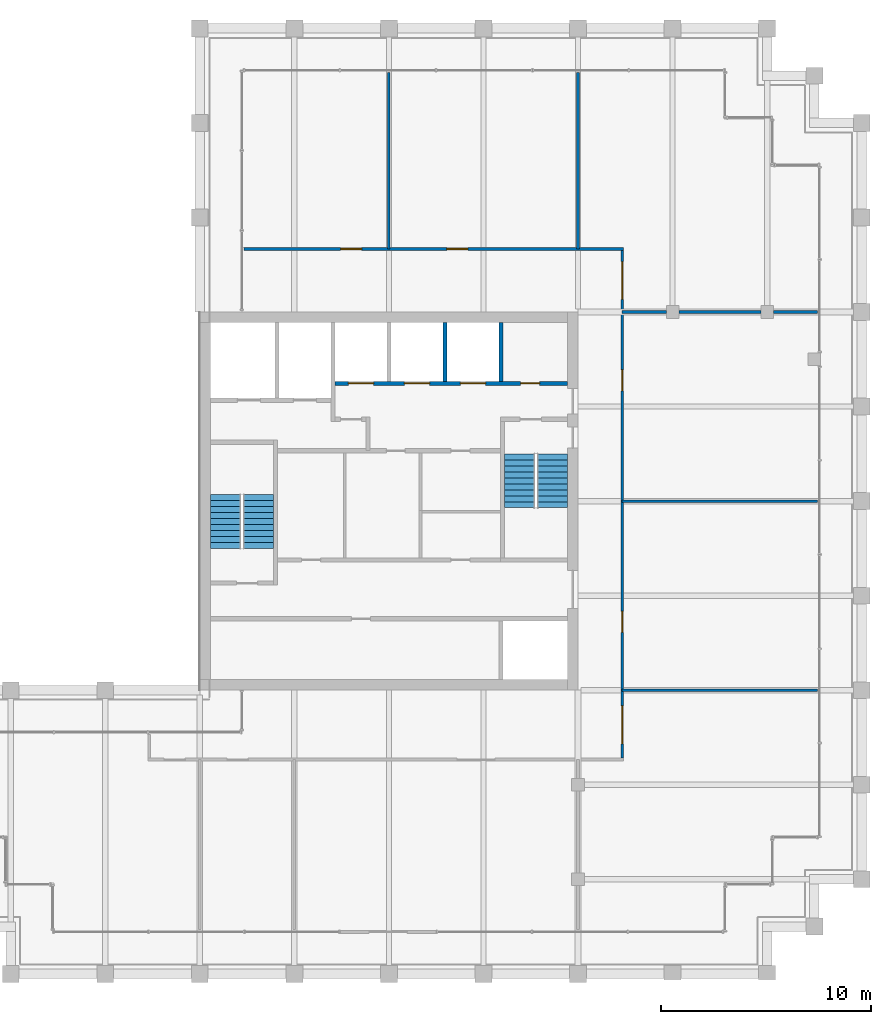
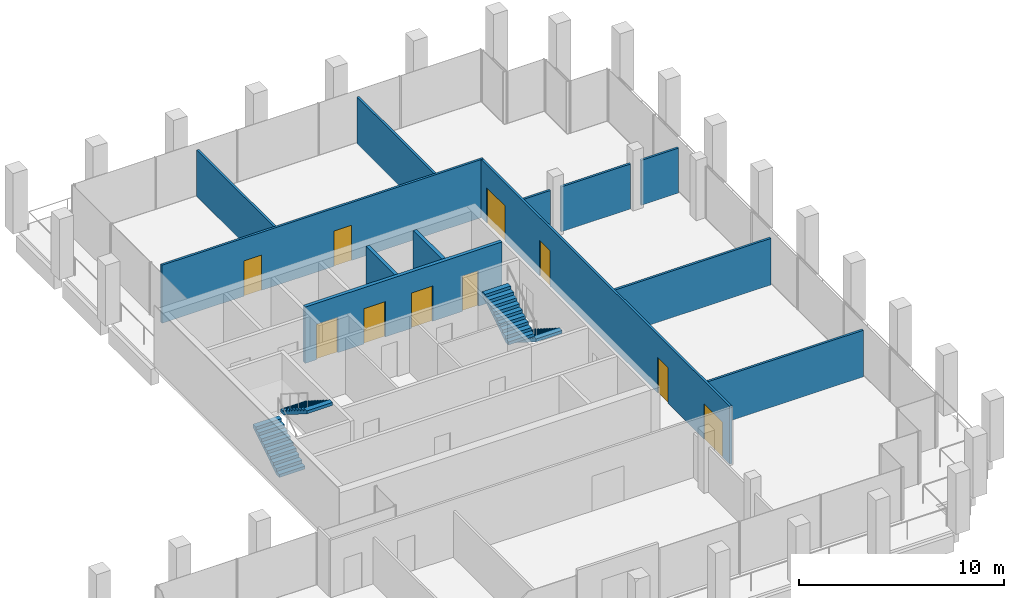
# One storey, part 29 of 30: 12 walls, 10 doors, 4 stair flights, 10 openings, 2 elements without a shape of their own.
"""IFC4 building model written with IfcOpenShell, lengths in metres."""

from ifc_helpers import new_model, si_unit, direction, frame, frame_2d, origin, place, context, subcontext, project, spatial, polyline, rectangle, outline, extrude, material, layer, layer_set, type_object, element, fill, aggregate, save


model = new_model("IFC4")

# Units and contexts
model_context = context("Model", 3, precision=1e-05, world=origin(), true_north=direction((0.0, 1.0)))
body_context = subcontext(model_context, "Body", "Model", "MODEL_VIEW")
ifc_project = project(units=[si_unit("LENGTHUNIT", "METRE"), si_unit("AREAUNIT", "SQUARE_METRE"), si_unit("VOLUMEUNIT", "CUBIC_METRE"), si_unit("PLANEANGLEUNIT", "RADIAN"), si_unit("MASSUNIT", "GRAM", prefix="KILO")], contexts=[model_context])

# Site, building, storey
site_placement = place(None, origin())
site = spatial("IfcSite", under=ifc_project, at=site_placement, CompositionType="ELEMENT")
building_placement = place(site_placement, origin())
building = spatial("IfcBuilding", under=site, at=building_placement, Name="Altepetl Exchange Towers", CompositionType="ELEMENT")
storey_placement = place(building_placement, frame((0.0, 0.0, 235.199951171875)))
storey = spatial("IfcBuildingStorey", under=building, at=storey_placement, Name="L60", CompositionType="ELEMENT", Elevation=235.199951171875)

# Walls
ifc_material_1 = material(Name="Timber panels on aluminium track", Category="wood")
ifc_layer_1 = layer(ifc_material_1, 0.125)
ifc_layer_set_1 = layer_set([ifc_layer_1], Name="Timber panels on aluminium track")
wall_type_1 = type_object("IfcWallType", Name="Operable acoustic partition 125", PredefinedType="MOVABLE", material=ifc_layer_set_1)
wall_1_placement = place(storey_placement, frame((60.60009765625, 49.5, 0.0)))
element("IfcWall", 1, at=wall_1_placement, inside=storey, type_object=wall_type_1, Name="wall:A:L60:P03", PredefinedType="MOVABLE", context=body_context, shape_type="SweptSolid", body=[
    extrude(rectangle(XDim=9.2998046875, YDim=0.125, at=frame_2d((4.64990234375, 0.0))), origin(), (0.0, 0.0, 1.0), 2.77197265625),
])
wall_2_placement = place(storey_placement, frame((49.5, 61.5, 0.0), z_axis=(0.0, 0.0, 1.0), x_axis=(0.0, 1.0, 0.0)))
element("IfcWall", 2, at=wall_2_placement, inside=storey, type_object=wall_type_1, Name="wall:A:L60:P11", PredefinedType="MOVABLE", context=body_context, shape_type="SweptSolid", body=[
    extrude(rectangle(XDim=8.39990234375, YDim=0.125, at=frame_2d((4.199951171875, 0.0))), origin(), (0.0, 0.0, 1.0), 2.77197265625),
])
ifc_material_2 = material(Name="Gypsum board on steel studs", Category="steel")
ifc_layer_2 = layer(ifc_material_2, 0.125)
ifc_layer_set_2 = layer_set([ifc_layer_2], Name="Gypsum board on steel studs")
wall_type_2 = type_object("IfcWallType", Name="Partition 125 gypsum board on steel studs", PredefinedType="PARTITIONING", material=ifc_layer_set_2)
wall_3_placement = place(storey_placement, frame((60.60009765625, 40.5, 0.0)))
element("IfcWall", 3, at=wall_3_placement, inside=storey, type_object=wall_type_2, Name="wall:A:L60:P02", PredefinedType="PARTITIONING", context=body_context, shape_type="SweptSolid", body=[
    extrude(rectangle(XDim=9.2998046875, YDim=0.125, at=frame_2d((4.64990234375, 0.0))), origin(), (0.0, 0.0, 1.0), 2.77197265625),
])
wall_4_placement = place(storey_placement, frame((60.60009765625, 58.5, 0.0)))
element("IfcWall", 4, at=wall_4_placement, inside=storey, type_object=wall_type_2, Name="wall:A:L60:P04", PredefinedType="PARTITIONING", context=body_context, shape_type="SweptSolid", body=[
    extrude(rectangle(XDim=2.099853515625, YDim=0.125, at=frame_2d((1.0498046875, 0.0))), origin(), (0.0, 0.0, 1.0), 2.676025390625),
])
wall_5_placement = place(storey_placement, frame((63.300048828125, 58.5, 0.0)))
element("IfcWall", 5, at=wall_5_placement, inside=storey, type_object=wall_type_2, Name="wall:A:L60:P05", PredefinedType="PARTITIONING", context=body_context, shape_type="SweptSolid", body=[
    extrude(rectangle(XDim=3.89990234375, YDim=0.125, at=frame_2d((1.949951171875, 0.0))), origin(), (0.0, 0.0, 1.0), 2.676025390625),
])
wall_6_placement = place(storey_placement, frame((67.800048828125, 58.5, 0.0)))
element("IfcWall", 6, at=wall_6_placement, inside=storey, type_object=wall_type_2, Name="wall:A:L60:P06", PredefinedType="PARTITIONING", context=body_context, shape_type="SweptSolid", body=[
    extrude(rectangle(XDim=2.099853515625, YDim=0.125, at=frame_2d((1.0498046875, 0.0))), origin(), (0.0, 0.0, 1.0), 2.676025390625),
])

# Wall, openings, doors
wall_7_placement = place(storey_placement, frame((42.60009765625, 61.5, 0.0)))
wall_7 = element("IfcWall", 7, at=wall_7_placement, inside=storey, type_object=wall_type_2, Name="wall:A:L60:P07", PredefinedType="PARTITIONING", context=body_context, shape_type="SweptSolid", body=[
    extrude(rectangle(XDim=18.0625, YDim=0.125, at=frame_2d((9.03125, 0.0))), origin(), (0.0, 0.0, 1.0), 3.449951171875),
])
opening_1_placement = place(wall_7_placement, frame((9.657958984375, 0.0, 0.0)))
opening_1 = element("IfcOpeningElement", 8, at=opening_1_placement, cuts=wall_7, Name="Opening L60.A08", PredefinedType="OPENING", context=body_context, shape_type="SweptSolid", body=[
    extrude(rectangle(XDim=1.0, YDim=2.10009765625, at=frame_2d((0.5, 1.050048828125))), frame((0.0, 0.072509765625, 0.0), z_axis=(0.0, -1.0, 0.0), x_axis=(1.0, 0.0, 0.0)), (0.0, 0.0, 1.0), 0.14501953125),
])
opening_2_placement = place(wall_7_placement, frame((4.60498046875, 0.0, 0.0)))
opening_2 = element("IfcOpeningElement", 9, at=opening_2_placement, cuts=wall_7, Name="Opening L60.A09", PredefinedType="OPENING", context=body_context, shape_type="SweptSolid", body=[
    extrude(rectangle(XDim=1.0, YDim=2.10009765625, at=frame_2d((0.5, 1.050048828125))), frame((0.0, 0.072509765625, 0.0), z_axis=(0.0, -1.0, 0.0), x_axis=(1.0, 0.0, 0.0)), (0.0, 0.0, 1.0), 0.14501953125),
])
ifc_material_3 = material(Name="Steel and timber fire door", Category="steel")
door_type_1 = type_object("IfcDoorType", Name="Fire door 1000 x 2100 single leaf", OperationType="SINGLE_SWING_LEFT", PredefinedType="DOOR", material=ifc_material_3)
door_1_placement = place(opening_1_placement, origin())
door_1 = element("IfcDoor", 10, at=door_1_placement, inside=storey, type_object=door_type_1, Name="door:A:L60:08", OperationType="SINGLE_SWING_LEFT", OverallHeight=2.10009765625, OverallWidth=1.0, PredefinedType="DOOR", context=body_context, shape_type="SweptSolid", body=[
    extrude(rectangle(XDim=1.0, YDim=2.10009765625, at=frame_2d((0.5, 1.050048828125))), frame((0.0, 0.02490234375, 0.0), z_axis=(0.0, -1.0, 0.0), x_axis=(1.0, 0.0, 0.0)), (0.0, 0.0, 1.0), 0.050048828125),
])
fill(opening_1, door_1)
door_2_placement = place(opening_2_placement, origin())
door_2 = element("IfcDoor", 11, at=door_2_placement, inside=storey, type_object=door_type_1, Name="door:A:L60:09", OperationType="SINGLE_SWING_RIGHT", OverallHeight=2.10009765625, OverallWidth=1.0, PredefinedType="DOOR", context=body_context, shape_type="SweptSolid", body=[
    extrude(rectangle(XDim=1.0, YDim=2.10009765625, at=frame_2d((0.5, 1.050048828125))), frame((0.0, 0.02490234375, 0.0), z_axis=(0.0, -1.0, 0.0), x_axis=(1.0, 0.0, 0.0)), (0.0, 0.0, 1.0), 0.050048828125),
])
fill(opening_2, door_2)

# Wall
wall_8_placement = place(storey_placement, frame((58.5, 61.5, 0.0), z_axis=(0.0, 0.0, 1.0), x_axis=(0.0, 1.0, 0.0)))
element("IfcWall", 12, at=wall_8_placement, inside=storey, type_object=wall_type_2, Name="wall:A:L60:P15", PredefinedType="PARTITIONING", context=body_context, shape_type="SweptSolid", body=[
    extrude(rectangle(XDim=8.39990234375, YDim=0.125, at=frame_2d((4.199951171875, 0.0))), origin(), (0.0, 0.0, 1.0), 2.77197265625),
])

# Wall, openings, doors
wall_9_placement = place(storey_placement, frame((60.60009765625, 37.262451171875, 0.0), z_axis=(0.0, 0.0, 1.0), x_axis=(0.0, 1.0, 0.0)))
wall_9 = element("IfcWall", 13, at=wall_9_placement, inside=storey, type_object=wall_type_2, Name="wall:A:L60:P16", PredefinedType="PARTITIONING", context=body_context, shape_type="SweptSolid", body=[
    extrude(rectangle(XDim=24.175048828125, YDim=0.125, at=frame_2d((12.08740234375, 0.0))), origin(), (0.0, 0.0, 1.0), 3.449951171875),
])
opening_3_placement = place(wall_9_placement, frame((0.6875, 0.0, 0.0)))
opening_3 = element("IfcOpeningElement", 14, at=opening_3_placement, cuts=wall_9, Name="Opening L60.A04", PredefinedType="OPENING", context=body_context, shape_type="SweptSolid", body=[
    extrude(rectangle(XDim=1.800048828125, YDim=2.10009765625, at=frame_2d((0.89990234375, 1.050048828125))), frame((0.0, 0.072509765625, 0.0), z_axis=(0.0, -1.0, 0.0), x_axis=(1.0, 0.0, 0.0)), (0.0, 0.0, 1.0), 0.14501953125),
])
opening_4_placement = place(wall_9_placement, frame((5.99560546875, 0.0, 0.0)))
opening_4 = element("IfcOpeningElement", 15, at=opening_4_placement, cuts=wall_9, Name="Opening L60.A05", PredefinedType="OPENING", context=body_context, shape_type="SweptSolid", body=[
    extrude(rectangle(XDim=1.0, YDim=2.10009765625, at=frame_2d((0.5, 1.050048828125))), frame((0.0, 0.072509765625, 0.0), z_axis=(0.0, -1.0, 0.0), x_axis=(1.0, 0.0, 0.0)), (0.0, 0.0, 1.0), 0.14501953125),
])
opening_5_placement = place(wall_9_placement, frame((17.4794921875, 0.0, 0.0)))
opening_5 = element("IfcOpeningElement", 16, at=opening_5_placement, cuts=wall_9, Name="Opening L60.A06", PredefinedType="OPENING", context=body_context, shape_type="SweptSolid", body=[
    extrude(rectangle(XDim=1.0, YDim=2.10009765625, at=frame_2d((0.5, 1.050048828125))), frame((0.0, 0.072509765625, 0.0), z_axis=(0.0, -1.0, 0.0), x_axis=(1.0, 0.0, 0.0)), (0.0, 0.0, 1.0), 0.14501953125),
])
opening_6_placement = place(wall_9_placement, frame((21.83740234375, 0.0, 0.0)))
opening_6 = element("IfcOpeningElement", 17, at=opening_6_placement, cuts=wall_9, Name="Opening L60.A07", PredefinedType="OPENING", context=body_context, shape_type="SweptSolid", body=[
    extrude(rectangle(XDim=1.800048828125, YDim=2.10009765625, at=frame_2d((0.89990234375, 1.050048828125))), frame((0.0, 0.072509765625, 0.0), z_axis=(0.0, -1.0, 0.0), x_axis=(1.0, 0.0, 0.0)), (0.0, 0.0, 1.0), 0.14501953125),
])
door_3_placement = place(opening_4_placement, frame((1.0, 0.0, 0.0), x_axis=(-1.0, 0.0, 0.0)))
door_3 = element("IfcDoor", 18, at=door_3_placement, inside=storey, type_object=door_type_1, Name="door:A:L60:05", OperationType="SINGLE_SWING_RIGHT", OverallHeight=2.10009765625, OverallWidth=1.0, PredefinedType="DOOR", context=body_context, shape_type="SweptSolid", body=[
    extrude(rectangle(XDim=1.0, YDim=2.10009765625, at=frame_2d((0.5, 1.050048828125))), frame((0.0, 0.02490234375, 0.0), z_axis=(0.0, -1.0, 0.0), x_axis=(1.0, 0.0, 0.0)), (0.0, 0.0, 1.0), 0.050048828125),
])
fill(opening_4, door_3)
door_4_placement = place(opening_5_placement, frame((1.0, 0.0, 0.0), x_axis=(-1.0, 0.0, 0.0)))
door_4 = element("IfcDoor", 19, at=door_4_placement, inside=storey, type_object=door_type_1, Name="door:A:L60:06", OperationType="SINGLE_SWING_RIGHT", OverallHeight=2.10009765625, OverallWidth=1.0, PredefinedType="DOOR", context=body_context, shape_type="SweptSolid", body=[
    extrude(rectangle(XDim=1.0, YDim=2.10009765625, at=frame_2d((0.5, 1.050048828125))), frame((0.0, 0.02490234375, 0.0), z_axis=(0.0, -1.0, 0.0), x_axis=(1.0, 0.0, 0.0)), (0.0, 0.0, 1.0), 0.050048828125),
])
fill(opening_5, door_4)
door_type_2 = type_object("IfcDoorType", Name="Fire door 1800 x 2100 double leaf", OperationType="DOUBLE_DOOR_SINGLE_SWING", PredefinedType="DOOR", material=ifc_material_3)
door_5_placement = place(opening_3_placement, frame((1.800048828125, 0.0, 0.0), x_axis=(-1.0, 0.0, 0.0)))
door_5 = element("IfcDoor", 20, at=door_5_placement, inside=storey, type_object=door_type_2, Name="door:A:L60:04", OperationType="DOUBLE_DOOR_SINGLE_SWING", OverallHeight=2.10009765625, OverallWidth=1.800048828125, PredefinedType="DOOR", context=body_context, shape_type="SweptSolid", body=[
    extrude(rectangle(XDim=1.800048828125, YDim=2.10009765625, at=frame_2d((0.89990234375, 1.050048828125))), frame((0.0, 0.02490234375, 0.0), z_axis=(0.0, -1.0, 0.0), x_axis=(1.0, 0.0, 0.0)), (0.0, 0.0, 1.0), 0.050048828125),
])
fill(opening_3, door_5)
door_6_placement = place(opening_6_placement, frame((1.800048828125, 0.0, 0.0), x_axis=(-1.0, 0.0, 0.0)))
door_6 = element("IfcDoor", 21, at=door_6_placement, inside=storey, type_object=door_type_2, Name="door:A:L60:07", OperationType="DOUBLE_DOOR_SINGLE_SWING", OverallHeight=2.10009765625, OverallWidth=1.800048828125, PredefinedType="DOOR", context=body_context, shape_type="SweptSolid", body=[
    extrude(rectangle(XDim=1.800048828125, YDim=2.10009765625, at=frame_2d((0.89990234375, 1.050048828125))), frame((0.0, 0.02490234375, 0.0), z_axis=(0.0, -1.0, 0.0), x_axis=(1.0, 0.0, 0.0)), (0.0, 0.0, 1.0), 0.050048828125),
])
fill(opening_6, door_6)

# Walls
ifc_material_4 = material(Name="Concrete C40/50", Category="concrete")
ifc_layer_3 = layer(ifc_material_4, 0.199951171875)
ifc_layer_set_3 = layer_set([ifc_layer_3], Name="Concrete C40/50")
wall_type_3 = type_object("IfcWallType", Name="Shaft wall 200 reinforced concrete", PredefinedType="SHEAR", material=ifc_layer_set_3)
for number, where, z_axis, x_axis, name in (
    (22, (52.166748046875, 58.0, 0.0), (0.0, 0.0, 1.0), (0.0, -1.0, 0.0), "wall:A:L60:K-divN4"),
    (23, (54.833251953125, 58.0, 0.0), (0.0, 0.0, 1.0), (0.0, -1.0, 0.0), "wall:A:L60:K-divN5"),
):
    element("IfcWall", number, at=place(storey_placement, frame(where, z_axis=z_axis, x_axis=x_axis)), inside=storey, type_object=wall_type_3, Name=name, PredefinedType="SHEAR", context=body_context, shape_type="SweptSolid", body=[
        extrude(rectangle(XDim=2.800048828125, YDim=0.199951171875, at=frame_2d((1.39990234375, 0.0))), origin(), (0.0, 0.0, 1.0), 3.35009765625),
    ])

# Wall, openings, doors
wall_10_placement = place(storey_placement, frame((46.933349609375, 55.10009765625, 0.0)))
wall_10 = element("IfcWall", 24, at=wall_10_placement, inside=storey, type_object=wall_type_3, Name="wall:A:L60:K-frontNb", PredefinedType="SHEAR", context=body_context, shape_type="SweptSolid", body=[
    extrude(rectangle(XDim=11.066650390625, YDim=0.199951171875, at=frame_2d((5.533203125, 0.0))), origin(), (0.0, 0.0, 1.0), 3.35009765625),
])
opening_7_placement = place(wall_10_placement, frame((8.83349609375, 0.0, 0.0)))
opening_7 = element("IfcOpeningElement", 25, at=opening_7_placement, cuts=wall_10, Name="Opening L60.A66", PredefinedType="OPENING", context=body_context, shape_type="SweptSolid", body=[
    extrude(rectangle(XDim=0.89990234375, YDim=2.10009765625, at=frame_2d((0.449951171875, 1.050048828125))), frame((0.0, 0.10986328125, 0.0), z_axis=(0.0, -1.0, 0.0), x_axis=(1.0, 0.0, 0.0)), (0.0, 0.0, 1.0), 0.219970703125),
])
opening_8_placement = place(wall_10_placement, frame((0.63330078125, 0.0, 0.0)))
opening_8 = element("IfcOpeningElement", 26, at=opening_8_placement, cuts=wall_10, Name="Opening L60.A74", PredefinedType="OPENING", context=body_context, shape_type="SweptSolid", body=[
    extrude(rectangle(XDim=1.199951171875, YDim=2.10009765625, at=frame_2d((0.60009765625, 1.050048828125))), frame((0.0, 0.10986328125, 0.0), z_axis=(0.0, -1.0, 0.0), x_axis=(1.0, 0.0, 0.0)), (0.0, 0.0, 1.0), 0.219970703125),
])
opening_9_placement = place(wall_10_placement, frame((3.300048828125, 0.0, 0.0)))
opening_9 = element("IfcOpeningElement", 27, at=opening_9_placement, cuts=wall_10, Name="Opening L60.A75", PredefinedType="OPENING", context=body_context, shape_type="SweptSolid", body=[
    extrude(rectangle(XDim=1.199951171875, YDim=2.10009765625, at=frame_2d((0.60009765625, 1.050048828125))), frame((0.0, 0.10986328125, 0.0), z_axis=(0.0, -1.0, 0.0), x_axis=(1.0, 0.0, 0.0)), (0.0, 0.0, 1.0), 0.219970703125),
])
opening_10_placement = place(wall_10_placement, frame((5.966796875, 0.0, 0.0)))
opening_10 = element("IfcOpeningElement", 28, at=opening_10_placement, cuts=wall_10, Name="Opening L60.A76", PredefinedType="OPENING", context=body_context, shape_type="SweptSolid", body=[
    extrude(rectangle(XDim=1.199951171875, YDim=2.10009765625, at=frame_2d((0.60009765625, 1.050048828125))), frame((0.0, 0.10986328125, 0.0), z_axis=(0.0, -1.0, 0.0), x_axis=(1.0, 0.0, 0.0)), (0.0, 0.0, 1.0), 0.219970703125),
])
door_type_3 = type_object("IfcDoorType", Name="Fire door 900 x 2100 service room", OperationType="SINGLE_SWING_LEFT", PredefinedType="DOOR", material=ifc_material_3)
door_7_placement = place(opening_7_placement, origin())
door_7 = element("IfcDoor", 29, at=door_7_placement, inside=storey, type_object=door_type_3, Name="door:A:L60:K-driser", OperationType="SINGLE_SWING_RIGHT", OverallHeight=2.10009765625, OverallWidth=0.89990234375, PredefinedType="DOOR", context=body_context, shape_type="SweptSolid", body=[
    extrude(rectangle(XDim=0.89990234375, YDim=2.10009765625, at=frame_2d((0.449951171875, 1.050048828125))), frame((0.0, 0.02490234375, 0.0), z_axis=(0.0, -1.0, 0.0), x_axis=(1.0, 0.0, 0.0)), (0.0, 0.0, 1.0), 0.050048828125),
])
fill(opening_7, door_7)
ifc_material_5 = material(Name="Stainless steel", Category="steel")
door_type_4 = type_object("IfcDoorType", Name="Lift landing door 1200 x 2100", OperationType="SLIDING_TO_LEFT", PredefinedType="DOOR", material=ifc_material_5)
door_8_placement = place(opening_8_placement, origin())
door_8 = element("IfcDoor", 30, at=door_8_placement, inside=storey, type_object=door_type_4, Name="Landing door P5", OperationType="SLIDING_TO_LEFT", OverallHeight=2.10009765625, OverallWidth=1.199951171875, PredefinedType="DOOR", context=body_context, shape_type="SweptSolid", body=[
    extrude(rectangle(XDim=1.199951171875, YDim=2.10009765625, at=frame_2d((0.60009765625, 1.050048828125))), frame((0.0, 0.02490234375, 0.0), z_axis=(0.0, -1.0, 0.0), x_axis=(1.0, 0.0, 0.0)), (0.0, 0.0, 1.0), 0.050048828125),
])
fill(opening_8, door_8)
door_9_placement = place(opening_9_placement, origin())
door_9 = element("IfcDoor", 31, at=door_9_placement, inside=storey, type_object=door_type_4, Name="Landing door P6", OperationType="SLIDING_TO_LEFT", OverallHeight=2.10009765625, OverallWidth=1.199951171875, PredefinedType="DOOR", context=body_context, shape_type="SweptSolid", body=[
    extrude(rectangle(XDim=1.199951171875, YDim=2.10009765625, at=frame_2d((0.60009765625, 1.050048828125))), frame((0.0, 0.02490234375, 0.0), z_axis=(0.0, -1.0, 0.0), x_axis=(1.0, 0.0, 0.0)), (0.0, 0.0, 1.0), 0.050048828125),
])
fill(opening_9, door_9)
door_10_placement = place(opening_10_placement, origin())
door_10 = element("IfcDoor", 32, at=door_10_placement, inside=storey, type_object=door_type_4, Name="Landing door P7", OperationType="SLIDING_TO_LEFT", OverallHeight=2.10009765625, OverallWidth=1.199951171875, PredefinedType="DOOR", context=body_context, shape_type="SweptSolid", body=[
    extrude(rectangle(XDim=1.199951171875, YDim=2.10009765625, at=frame_2d((0.60009765625, 1.050048828125))), frame((0.0, 0.02490234375, 0.0), z_axis=(0.0, -1.0, 0.0), x_axis=(1.0, 0.0, 0.0)), (0.0, 0.0, 1.0), 0.050048828125),
])
fill(opening_10, door_10)

# Stair, stair flights
stair_type = type_object("IfcStairType", Name="Exit stair 1450 flights dogleg", PredefinedType="HALF_TURN_STAIR", material=ifc_material_4)
stair_1_placement = place(storey_placement, origin())
stair_1 = element("IfcStair", 33, at=stair_1_placement, inside=storey, type_object=stair_type, Name="Exit stair 1", PredefinedType="HALF_TURN_STAIR")
stair_flight_type = type_object("IfcStairFlightType", Name="Stair flight 1450 wide", PredefinedType="STRAIGHT", material=ifc_material_4)
stair_flight_1_placement = place(storey_placement, frame((41.72509765625, 47.25, 0.0), z_axis=(0.0, 0.0, 1.0), x_axis=(0.0, 1.0, 0.0)))
stair_flight_1 = element("IfcStairFlight", 34, at=stair_flight_1_placement, type_object=stair_flight_type, Name="ST-A1f flight 1", NumberOfRisers=10, NumberOfTreads=9, PredefinedType="STRAIGHT", RiserHeight=0.18, TreadLength=0.285, context=body_context, shape_type="SweptSolid", body=[
    extrude(outline(polyline([(0.0, 0.0), (0.0, 0.179931640625), (0.284912109375, 0.179931640625), (0.284912109375, 0.360107421875), (0.570068359375, 0.360107421875), (0.570068359375, 0.5400390625), (0.85498046875, 0.5400390625), (0.85498046875, 0.719970703125), (1.139892578125, 0.719970703125), (1.139892578125, 0.89990234375), (1.425048828125, 0.89990234375), (1.425048828125, 1.080078125), (1.7099609375, 1.080078125), (1.7099609375, 1.260009765625), (1.9951171875, 1.260009765625), (1.9951171875, 1.43994140625), (2.280029296875, 1.43994140625), (2.280029296875, 1.6201171875), (2.56494140625, 1.6201171875), (2.56494140625, 1.800048828125), (2.56494140625, 1.442626953125), (0.28076171875, 0.0), (0.0, 0.0)])), frame((0.0, 0.72509765625, 0.0), z_axis=(0.0, -1.0, 0.0), x_axis=(1.0, 0.0, 0.0)), (0.0, 0.0, 1.0), 1.449951171875),
])
stair_flight_2_placement = place(storey_placement, frame((43.27490234375, 49.81494140625, 1.800048828125), z_axis=(0.0, 0.0, 1.0), x_axis=(0.0, -1.0, 0.0)))
stair_flight_2 = element("IfcStairFlight", 35, at=stair_flight_2_placement, type_object=stair_flight_type, Name="ST-A1f flight 2", NumberOfRisers=10, NumberOfTreads=9, PredefinedType="STRAIGHT", RiserHeight=0.18, TreadLength=0.285, context=body_context, shape_type="SweptSolid", body=[
    extrude(outline(polyline([(0.0, 0.0), (0.0, 0.179931640625), (0.284912109375, 0.179931640625), (0.284912109375, 0.360107421875), (0.570068359375, 0.360107421875), (0.570068359375, 0.5400390625), (0.85498046875, 0.5400390625), (0.85498046875, 0.719970703125), (1.139892578125, 0.719970703125), (1.139892578125, 0.89990234375), (1.425048828125, 0.89990234375), (1.425048828125, 1.080078125), (1.7099609375, 1.080078125), (1.7099609375, 1.260009765625), (1.9951171875, 1.260009765625), (1.9951171875, 1.43994140625), (2.280029296875, 1.43994140625), (2.280029296875, 1.6201171875), (2.56494140625, 1.6201171875), (2.56494140625, 1.800048828125), (2.56494140625, 1.442626953125), (0.28076171875, 0.0), (0.0, 0.0)])), frame((0.0, 0.72509765625, 0.0), z_axis=(0.0, -1.0, 0.0), x_axis=(1.0, 0.0, 0.0)), (0.0, 0.0, 1.0), 1.449951171875),
])
aggregate(stair_1, [stair_flight_1, stair_flight_2])

stair_2_placement = place(storey_placement, origin())
stair_2 = element("IfcStair", 36, at=stair_2_placement, inside=storey, type_object=stair_type, Name="Exit stair 2", PredefinedType="HALF_TURN_STAIR")
stair_flight_3_placement = place(storey_placement, frame((57.27490234375, 51.75, 0.0), z_axis=(0.0, 0.0, 1.0), x_axis=(0.0, -1.0, 0.0)))
stair_flight_3 = element("IfcStairFlight", 37, at=stair_flight_3_placement, type_object=stair_flight_type, Name="ST-A2f flight 1", NumberOfRisers=10, NumberOfTreads=9, PredefinedType="STRAIGHT", RiserHeight=0.18, TreadLength=0.285, context=body_context, shape_type="SweptSolid", body=[
    extrude(outline(polyline([(0.0, 0.0), (0.0, 0.179931640625), (0.284912109375, 0.179931640625), (0.284912109375, 0.360107421875), (0.570068359375, 0.360107421875), (0.570068359375, 0.5400390625), (0.85498046875, 0.5400390625), (0.85498046875, 0.719970703125), (1.139892578125, 0.719970703125), (1.139892578125, 0.89990234375), (1.425048828125, 0.89990234375), (1.425048828125, 1.080078125), (1.7099609375, 1.080078125), (1.7099609375, 1.260009765625), (1.9951171875, 1.260009765625), (1.9951171875, 1.43994140625), (2.280029296875, 1.43994140625), (2.280029296875, 1.6201171875), (2.56494140625, 1.6201171875), (2.56494140625, 1.800048828125), (2.56494140625, 1.442626953125), (0.28076171875, 0.0), (0.0, 0.0)])), frame((0.0, 0.72509765625, 0.0), z_axis=(0.0, -1.0, 0.0), x_axis=(1.0, 0.0, 0.0)), (0.0, 0.0, 1.0), 1.449951171875),
])
stair_flight_4_placement = place(storey_placement, frame((55.72509765625, 49.18505859375, 1.800048828125), z_axis=(0.0, 0.0, 1.0), x_axis=(0.0, 1.0, 0.0)))
stair_flight_4 = element("IfcStairFlight", 38, at=stair_flight_4_placement, type_object=stair_flight_type, Name="ST-A2f flight 2", NumberOfRisers=10, NumberOfTreads=9, PredefinedType="STRAIGHT", RiserHeight=0.18, TreadLength=0.285, context=body_context, shape_type="SweptSolid", body=[
    extrude(outline(polyline([(0.0, 0.0), (0.0, 0.179931640625), (0.284912109375, 0.179931640625), (0.284912109375, 0.360107421875), (0.570068359375, 0.360107421875), (0.570068359375, 0.5400390625), (0.85498046875, 0.5400390625), (0.85498046875, 0.719970703125), (1.139892578125, 0.719970703125), (1.139892578125, 0.89990234375), (1.425048828125, 0.89990234375), (1.425048828125, 1.080078125), (1.7099609375, 1.080078125), (1.7099609375, 1.260009765625), (1.9951171875, 1.260009765625), (1.9951171875, 1.43994140625), (2.280029296875, 1.43994140625), (2.280029296875, 1.6201171875), (2.56494140625, 1.6201171875), (2.56494140625, 1.800048828125), (2.56494140625, 1.442626953125), (0.28076171875, 0.0), (0.0, 0.0)])), frame((0.0, 0.72509765625, 0.0), z_axis=(0.0, -1.0, 0.0), x_axis=(1.0, 0.0, 0.0)), (0.0, 0.0, 1.0), 1.449951171875),
])
aggregate(stair_2, [stair_flight_3, stair_flight_4])

save(model, "model.ifc")
